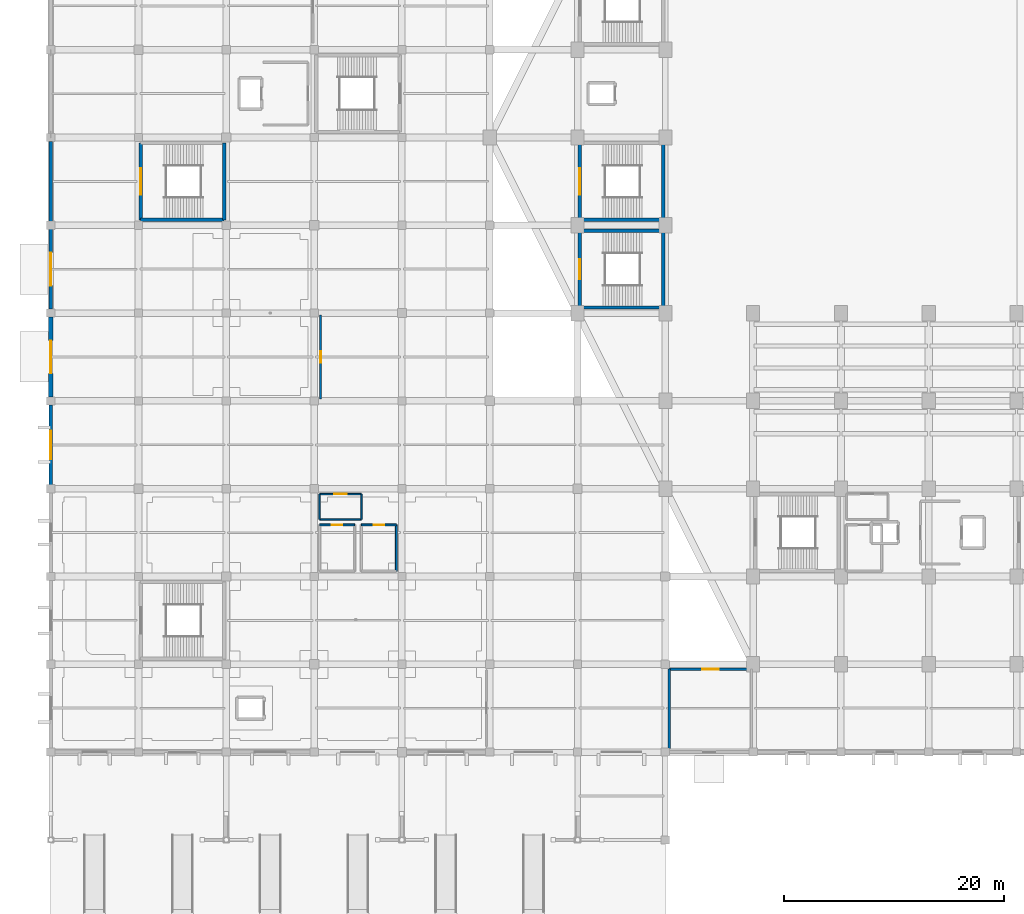
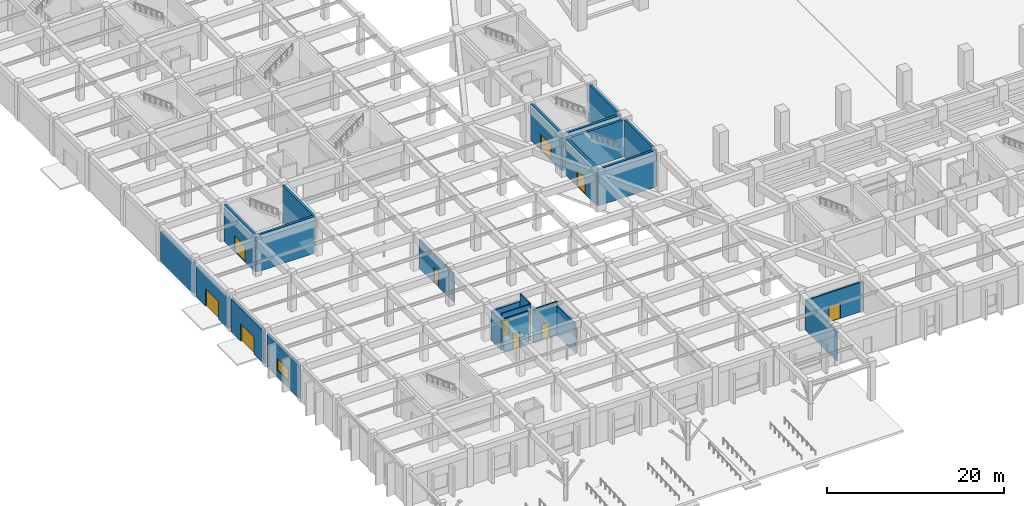
# One storey, part 23 of 39: 24 walls, 10 doors, 1 window, 11 openings.
"""IFC4 building model written with IfcOpenShell, lengths in metres."""

from ifc_helpers import new_model, si_unit, direction, frame, frame_2d, origin, place, context, subcontext, project, spatial, rectangle, extrude, material, layer, layer_set, type_object, element, fill, save


model = new_model("IFC4")

# Units and contexts
model_context = context("Model", 3, precision=1e-05, world=origin(), true_north=direction((0.0, 1.0)))
body_context = subcontext(model_context, "Body", "Model", "MODEL_VIEW")
ifc_project = project(units=[si_unit("LENGTHUNIT", "METRE"), si_unit("AREAUNIT", "SQUARE_METRE"), si_unit("VOLUMEUNIT", "CUBIC_METRE"), si_unit("PLANEANGLEUNIT", "RADIAN"), si_unit("MASSUNIT", "GRAM", prefix="KILO")], contexts=[model_context])

# Site, building, storey
site_placement = place(None, origin())
site = spatial("IfcSite", under=ifc_project, at=site_placement, CompositionType="ELEMENT")
building_placement = place(site_placement, origin())
building = spatial("IfcBuilding", under=site, at=building_placement, Name="Tazarka Park Arena", CompositionType="ELEMENT")
storey_placement = place(building_placement, origin())
storey = spatial("IfcBuildingStorey", under=building, at=storey_placement, Name="L00", CompositionType="ELEMENT", Elevation=0.0)

# Wall
ifc_material_1 = material(Name="Concrete C40/50", Category="concrete")
ifc_layer_1 = layer(ifc_material_1, 0.300048828125, Name="Concrete C40/50")
ifc_layer_set_1 = layer_set([ifc_layer_1], Name="Concrete C40/50")
wall_type_1 = type_object("IfcWallType", Name="IWAL-CW-S1", PredefinedType="SHEAR", material=ifc_layer_set_1)
wall_1_placement = place(storey_placement, frame((15.800048828125, 56.5, 0.0), z_axis=(0.0, 0.0, 1.0), x_axis=(-1.0, 0.0, 0.0)))
element("IfcWall", 1, at=wall_1_placement, inside=storey, type_object=wall_type_1, Name="SCW-L00-ST01-S", PredefinedType="SHEAR", context=body_context, shape_type="SweptSolid", body=[
    extrude(rectangle(XDim=7.60009765625, YDim=0.300048828125, at=frame_2d((3.800048828125, 0.0))), origin(), (0.0, 0.0, 1.0), 5.080078125),
])

# Wall, opening, door
wall_2_placement = place(storey_placement, frame((8.199951171875, 56.5, 0.0), z_axis=(0.0, 0.0, 1.0), x_axis=(0.0, 1.0, 0.0)))
wall_2 = element("IfcWall", 2, at=wall_2_placement, inside=storey, type_object=wall_type_1, Name="SCW-L00-ST01-W", PredefinedType="SHEAR", context=body_context, shape_type="SweptSolid", body=[
    extrude(rectangle(XDim=7.0, YDim=0.300048828125, at=frame_2d((3.5, 0.0))), origin(), (0.0, 0.0, 1.0), 5.080078125),
])
opening_1_placement = place(wall_2_placement, frame((2.300048828125, 0.0, 0.0)))
opening_1 = element("IfcOpeningElement", 3, at=opening_1_placement, cuts=wall_2, Name="Opening ID-05", PredefinedType="OPENING", context=body_context, shape_type="SweptSolid", body=[
    extrude(rectangle(XDim=2.39990234375, YDim=2.199951171875, at=frame_2d((1.199951171875, 1.10009765625))), frame((0.0, 0.16015625, 0.0), z_axis=(0.0, -1.0, 0.0), x_axis=(1.0, 0.0, 0.0)), (0.0, 0.0, 1.0), 0.320068359375),
])
ifc_material_2 = material(Name="Fire-rated powder-coated steel and acoustic timber", Category="steel")
door_type_1 = type_object("IfcDoorType", Name="IDR-ID-05", OperationType="NOTDEFINED", PredefinedType="DOOR", material=ifc_material_2)
door_1_placement = place(opening_1_placement, origin())
door_1 = element("IfcDoor", 4, at=door_1_placement, inside=storey, type_object=door_type_1, Name="Exit Stair Door ST01-L00", OperationType="DOUBLE_DOOR_SINGLE_SWING", OverallHeight=2.199951171875, OverallWidth=2.39990234375, PredefinedType="DOOR", context=body_context, shape_type="SweptSolid", body=[
    extrude(rectangle(XDim=2.39990234375, YDim=2.199951171875, at=frame_2d((1.199951171875, 1.10009765625))), frame((0.0, 0.02490234375, 0.0), z_axis=(0.0, -1.0, 0.0), x_axis=(1.0, 0.0, 0.0)), (0.0, 0.0, 1.0), 0.050048828125),
])
fill(opening_1, door_1)

# Walls
wall_3_placement = place(storey_placement, frame((15.800048828125, 63.5, 0.0), z_axis=(0.0, 0.0, 1.0), x_axis=(0.0, -1.0, 0.0)))
element("IfcWall", 5, at=wall_3_placement, inside=storey, type_object=wall_type_1, Name="SCW-L00-ST01-E", PredefinedType="SHEAR", context=body_context, shape_type="SweptSolid", body=[
    extrude(rectangle(XDim=7.0, YDim=0.300048828125, at=frame_2d((3.5, 0.0))), origin(), (0.0, 0.0, 1.0), 5.080078125),
])
wall_4_placement = place(storey_placement, frame((55.800048828125, 56.5, 0.0), z_axis=(0.0, 0.0, 1.0), x_axis=(-1.0, 0.0, 0.0)))
element("IfcWall", 6, at=wall_4_placement, inside=storey, type_object=wall_type_1, Name="SCW-L00-ST13-S", PredefinedType="SHEAR", context=body_context, shape_type="SweptSolid", body=[
    extrude(rectangle(XDim=7.60009765625, YDim=0.300048828125, at=frame_2d((3.800048828125, 0.0))), origin(), (0.0, 0.0, 1.0), 5.080078125),
])

# Wall, opening, door
wall_5_placement = place(storey_placement, frame((48.199951171875, 56.5, 0.0), z_axis=(0.0, 0.0, 1.0), x_axis=(0.0, 1.0, 0.0)))
wall_5 = element("IfcWall", 7, at=wall_5_placement, inside=storey, type_object=wall_type_1, Name="SCW-L00-ST13-W", PredefinedType="SHEAR", context=body_context, shape_type="SweptSolid", body=[
    extrude(rectangle(XDim=7.0, YDim=0.300048828125, at=frame_2d((3.5, 0.0))), origin(), (0.0, 0.0, 1.0), 5.080078125),
])
opening_2_placement = place(wall_5_placement, frame((2.300048828125, 0.0, 0.0)))
opening_2 = element("IfcOpeningElement", 8, at=opening_2_placement, cuts=wall_5, Name="Opening ID-05", PredefinedType="OPENING", context=body_context, shape_type="SweptSolid", body=[
    extrude(rectangle(XDim=2.39990234375, YDim=2.199951171875, at=frame_2d((1.199951171875, 1.10009765625))), frame((0.0, 0.16015625, 0.0), z_axis=(0.0, -1.0, 0.0), x_axis=(1.0, 0.0, 0.0)), (0.0, 0.0, 1.0), 0.320068359375),
])
door_2_placement = place(opening_2_placement, origin())
door_2 = element("IfcDoor", 9, at=door_2_placement, inside=storey, type_object=door_type_1, Name="Exit Stair Door ST13-L00", OperationType="DOUBLE_DOOR_SINGLE_SWING", OverallHeight=2.199951171875, OverallWidth=2.39990234375, PredefinedType="DOOR", context=body_context, shape_type="SweptSolid", body=[
    extrude(rectangle(XDim=2.39990234375, YDim=2.199951171875, at=frame_2d((1.199951171875, 1.10009765625))), frame((0.0, 0.02490234375, 0.0), z_axis=(0.0, -1.0, 0.0), x_axis=(1.0, 0.0, 0.0)), (0.0, 0.0, 1.0), 0.050048828125),
])
fill(opening_2, door_2)

# Walls
wall_6_placement = place(storey_placement, frame((55.800048828125, 63.5, 0.0), z_axis=(0.0, 0.0, 1.0), x_axis=(0.0, -1.0, 0.0)))
element("IfcWall", 10, at=wall_6_placement, inside=storey, type_object=wall_type_1, Name="SCW-L00-ST13-E", PredefinedType="SHEAR", context=body_context, shape_type="SweptSolid", body=[
    extrude(rectangle(XDim=7.0, YDim=0.300048828125, at=frame_2d((3.5, 0.0))), origin(), (0.0, 0.0, 1.0), 5.080078125),
])
wall_7_placement = place(storey_placement, frame((55.800048828125, 48.5, 0.0), z_axis=(0.0, 0.0, 1.0), x_axis=(-1.0, 0.0, 0.0)))
element("IfcWall", 11, at=wall_7_placement, inside=storey, type_object=wall_type_1, Name="SCW-L00-ST19-S", PredefinedType="SHEAR", context=body_context, shape_type="SweptSolid", body=[
    extrude(rectangle(XDim=7.60009765625, YDim=0.300048828125, at=frame_2d((3.800048828125, 0.0))), origin(), (0.0, 0.0, 1.0), 5.080078125),
])

# Wall, opening, door
wall_8_placement = place(storey_placement, frame((48.199951171875, 48.5, 0.0), z_axis=(0.0, 0.0, 1.0), x_axis=(0.0, 1.0, 0.0)))
wall_8 = element("IfcWall", 12, at=wall_8_placement, inside=storey, type_object=wall_type_1, Name="SCW-L00-ST19-W", PredefinedType="SHEAR", context=body_context, shape_type="SweptSolid", body=[
    extrude(rectangle(XDim=7.0, YDim=0.300048828125, at=frame_2d((3.5, 0.0))), origin(), (0.0, 0.0, 1.0), 5.080078125),
])
opening_3_placement = place(wall_8_placement, frame((2.60009765625, 0.0, 0.0)))
opening_3 = element("IfcOpeningElement", 13, at=opening_3_placement, cuts=wall_8, Name="Opening ID-04", PredefinedType="OPENING", context=body_context, shape_type="SweptSolid", body=[
    extrude(rectangle(XDim=1.800048828125, YDim=2.199951171875, at=frame_2d((0.89990234375, 1.10009765625))), frame((0.0, 0.16015625, 0.0), z_axis=(0.0, -1.0, 0.0), x_axis=(1.0, 0.0, 0.0)), (0.0, 0.0, 1.0), 0.320068359375),
])
ifc_material_3 = material(Name="Fire-rated powder-coated steel and acoustic timber", Category="steel")
door_type_2 = type_object("IfcDoorType", Name="IDR-ID-04", OperationType="NOTDEFINED", PredefinedType="DOOR", material=ifc_material_3)
door_3_placement = place(opening_3_placement, origin())
door_3 = element("IfcDoor", 14, at=door_3_placement, inside=storey, type_object=door_type_2, Name="Vomitory Stair Door ST19-L00", OperationType="DOUBLE_DOOR_SINGLE_SWING", OverallHeight=2.199951171875, OverallWidth=1.800048828125, PredefinedType="DOOR", context=body_context, shape_type="SweptSolid", body=[
    extrude(rectangle(XDim=1.800048828125, YDim=2.199951171875, at=frame_2d((0.89990234375, 1.10009765625))), frame((0.0, 0.02490234375, 0.0), z_axis=(0.0, -1.0, 0.0), x_axis=(1.0, 0.0, 0.0)), (0.0, 0.0, 1.0), 0.050048828125),
])
fill(opening_3, door_3)

# Walls
wall_9_placement = place(storey_placement, frame((48.199951171875, 55.5, 0.0), z_axis=(0.0, 0.0, 1.0), x_axis=(1.0, 0.0, 0.0)))
element("IfcWall", 15, at=wall_9_placement, inside=storey, type_object=wall_type_1, Name="SCW-L00-ST19-N", PredefinedType="SHEAR", context=body_context, shape_type="SweptSolid", body=[
    extrude(rectangle(XDim=7.60009765625, YDim=0.300048828125, at=frame_2d((3.800048828125, 0.0))), origin(), (0.0, 0.0, 1.0), 5.080078125),
])
wall_10_placement = place(storey_placement, frame((55.800048828125, 55.5, 0.0), z_axis=(0.0, 0.0, 1.0), x_axis=(0.0, -1.0, 0.0)))
element("IfcWall", 16, at=wall_10_placement, inside=storey, type_object=wall_type_1, Name="SCW-L00-ST19-E", PredefinedType="SHEAR", context=body_context, shape_type="SweptSolid", body=[
    extrude(rectangle(XDim=7.0, YDim=0.300048828125, at=frame_2d((3.5, 0.0))), origin(), (0.0, 0.0, 1.0), 5.080078125),
])

# Wall, opening, door
ifc_material_4 = material(Name="Reinforced masonry compartment wall", Category="masonry")
ifc_layer_2 = layer(ifc_material_4, 0.199951171875, Name="Reinforced masonry compartment wall")
ifc_layer_set_2 = layer_set([ifc_layer_2], Name="Reinforced masonry compartment wall")
wall_type_2 = type_object("IfcWallType", Name="IWAL-PT-04", PredefinedType="PARTITIONING", material=ifc_layer_set_2)
wall_11_placement = place(storey_placement, frame((63.85009765625, 15.550048828125, 0.0), z_axis=(0.0, 0.0, 1.0), x_axis=(-1.0, 0.0, 0.0)))
wall_11 = element("IfcWall", 17, at=wall_11_placement, inside=storey, type_object=wall_type_2, Name="WCE-L00-058", PredefinedType="PARTITIONING", context=body_context, shape_type="SweptSolid", body=[
    extrude(rectangle(XDim=7.5, YDim=0.199951171875, at=frame_2d((3.75, 0.0))), origin(), (0.0, 0.0, 1.0), 4.050048828125),
])
opening_4_placement = place(wall_11_placement, frame((3.0, 0.0, 0.0)))
opening_4 = element("IfcOpeningElement", 18, at=opening_4_placement, cuts=wall_11, Name="Opening ID-06", PredefinedType="OPENING", context=body_context, shape_type="SweptSolid", body=[
    extrude(rectangle(XDim=1.5, YDim=2.199951171875, at=frame_2d((0.75, 1.10009765625))), frame((0.0, 0.10986328125, 0.0), z_axis=(0.0, -1.0, 0.0), x_axis=(1.0, 0.0, 0.0)), (0.0, 0.0, 1.0), 0.219970703125),
])
ifc_material_5 = material(Name="Fire-rated powder-coated steel and acoustic timber", Category="steel")
door_type_3 = type_object("IfcDoorType", Name="IDR-ID-06", OperationType="NOTDEFINED", PredefinedType="DOOR", material=ifc_material_5)
door_4_placement = place(opening_4_placement, origin())
door_4 = element("IfcDoor", 19, at=door_4_placement, inside=storey, type_object=door_type_3, Name="Room Door Fire Command Centre", OperationType="SINGLE_SWING_LEFT", OverallHeight=2.199951171875, OverallWidth=1.5, PredefinedType="DOOR", context=body_context, shape_type="SweptSolid", body=[
    extrude(rectangle(XDim=1.5, YDim=2.199951171875, at=frame_2d((0.75, 1.10009765625))), frame((0.0, 0.02490234375, 0.0), z_axis=(0.0, -1.0, 0.0), x_axis=(1.0, 0.0, 0.0)), (0.0, 0.0, 1.0), 0.050048828125),
])
fill(opening_4, door_4)

# Walls
wall_12_placement = place(storey_placement, frame((56.35009765625, 15.550048828125, 0.0), z_axis=(0.0, 0.0, 1.0), x_axis=(0.0, -1.0, 0.0)))
element("IfcWall", 20, at=wall_12_placement, inside=storey, type_object=wall_type_2, Name="WCE-L00-059", PredefinedType="PARTITIONING", context=body_context, shape_type="SweptSolid", body=[
    extrude(rectangle(XDim=7.199951171875, YDim=0.199951171875, at=frame_2d((3.60009765625, 0.0))), origin(), (0.0, 0.0, 1.0), 4.050048828125),
])
ifc_material_6 = material(Name="Acoustic gypsum stud partition")
ifc_layer_3 = layer(ifc_material_6, 0.135009765625, Name="Acoustic gypsum stud partition")
ifc_layer_set_3 = layer_set([ifc_layer_3], Name="Acoustic gypsum stud partition")
wall_type_3 = type_object("IfcWallType", Name="IWAL-PT-10", PredefinedType="PARTITIONING", material=ifc_layer_set_3)
wall_13_placement = place(storey_placement, frame((24.5, 29.199951171875, 0.0), z_axis=(0.0, 0.0, 1.0), x_axis=(1.0, 0.0, 0.0)))
element("IfcWall", 21, at=wall_13_placement, inside=storey, type_object=wall_type_3, Name="WCE-L00-033", PredefinedType="PARTITIONING", context=body_context, shape_type="SweptSolid", body=[
    extrude(rectangle(XDim=3.800048828125, YDim=0.135009765625, at=frame_2d((1.89990234375, 0.0))), origin(), (0.0, 0.0, 1.0), 5.080078125),
])
wall_14_placement = place(storey_placement, frame((28.300048828125, 29.199951171875, 0.0), z_axis=(0.0, 0.0, 1.0), x_axis=(0.0, 1.0, 0.0)))
element("IfcWall", 22, at=wall_14_placement, inside=storey, type_object=wall_type_3, Name="WCE-L00-034", PredefinedType="PARTITIONING", context=body_context, shape_type="SweptSolid", body=[
    extrude(rectangle(XDim=2.300048828125, YDim=0.135009765625, at=frame_2d((1.14990234375, 0.0))), origin(), (0.0, 0.0, 1.0), 5.080078125),
])

# Wall, opening, door
wall_15_placement = place(storey_placement, frame((28.300048828125, 31.5, 0.0), z_axis=(0.0, 0.0, 1.0), x_axis=(-1.0, 0.0, 0.0)))
wall_15 = element("IfcWall", 23, at=wall_15_placement, inside=storey, type_object=wall_type_3, Name="WCE-L00-035", PredefinedType="PARTITIONING", context=body_context, shape_type="SweptSolid", body=[
    extrude(rectangle(XDim=3.800048828125, YDim=0.135009765625, at=frame_2d((1.89990234375, 0.0))), origin(), (0.0, 0.0, 1.0), 4.050048828125),
])
opening_5_placement = place(wall_15_placement, frame((1.35009765625, 0.0, 0.0)))
opening_5 = element("IfcOpeningElement", 24, at=opening_5_placement, cuts=wall_15, Name="Opening ID-02", PredefinedType="OPENING", context=body_context, shape_type="SweptSolid", body=[
    extrude(rectangle(XDim=1.10009765625, YDim=2.14990234375, at=frame_2d((0.550048828125, 1.074951171875))), frame((0.0, 0.07763671875, 0.0), z_axis=(0.0, -1.0, 0.0), x_axis=(1.0, 0.0, 0.0)), (0.0, 0.0, 1.0), 0.155029296875),
])
ifc_material_7 = material(Name="Fire-rated powder-coated steel and acoustic timber", Category="steel")
door_type_4 = type_object("IfcDoorType", Name="IDR-ID-02", OperationType="NOTDEFINED", PredefinedType="DOOR", material=ifc_material_7)
door_5_placement = place(opening_5_placement, origin())
door_5 = element("IfcDoor", 25, at=door_5_placement, inside=storey, type_object=door_type_4, Name="Room Door Accessible WC Foyer 1", OperationType="SINGLE_SWING_LEFT", OverallHeight=2.14990234375, OverallWidth=1.10009765625, PredefinedType="DOOR", context=body_context, shape_type="SweptSolid", body=[
    extrude(rectangle(XDim=1.10009765625, YDim=2.14990234375, at=frame_2d((0.550048828125, 1.074951171875))), frame((0.0, 0.02490234375, 0.0), z_axis=(0.0, -1.0, 0.0), x_axis=(1.0, 0.0, 0.0)), (0.0, 0.0, 1.0), 0.050048828125),
])
fill(opening_5, door_5)

# Wall
wall_16_placement = place(storey_placement, frame((24.5, 31.5, 0.0), z_axis=(0.0, 0.0, 1.0), x_axis=(0.0, -1.0, 0.0)))
element("IfcWall", 26, at=wall_16_placement, inside=storey, type_object=wall_type_3, Name="WCE-L00-036", PredefinedType="PARTITIONING", context=body_context, shape_type="SweptSolid", body=[
    extrude(rectangle(XDim=2.300048828125, YDim=0.135009765625, at=frame_2d((1.14990234375, 0.0))), origin(), (0.0, 0.0, 1.0), 4.050048828125),
])

# Wall, opening, door
ifc_material_8 = material(Name="Double-layer fire partition")
ifc_layer_4 = layer(ifc_material_8, 0.18505859375, Name="Double-layer fire partition")
ifc_layer_set_4 = layer_set([ifc_layer_4], Name="Double-layer fire partition")
wall_type_4 = type_object("IfcWallType", Name="IWAL-PT-11", PredefinedType="PARTITIONING", material=ifc_layer_set_4)
wall_17_placement = place(storey_placement, frame((24.60009765625, 40.1533203125, 0.0), z_axis=(0.0, 0.0, 1.0), x_axis=(0.0, 1.0, 0.0)))
wall_17 = element("IfcWall", 27, at=wall_17_placement, inside=storey, type_object=wall_type_4, Name="PRT-L00-009", PredefinedType="PARTITIONING", context=body_context, shape_type="SweptSolid", body=[
    extrude(rectangle(XDim=7.693359375, YDim=0.18505859375, at=frame_2d((3.8466796875, 0.0))), origin(), (0.0, 0.0, 1.0), 4.050048828125),
])
opening_6_placement = place(wall_17_placement, frame((3.32177734375, 0.0, 0.0)))
opening_6 = element("IfcOpeningElement", 28, at=opening_6_placement, cuts=wall_17, Name="Opening ID-10", PredefinedType="OPENING", context=body_context, shape_type="SweptSolid", body=[
    extrude(rectangle(XDim=1.050048828125, YDim=2.14990234375, at=frame_2d((0.52490234375, 1.074951171875))), frame((0.0, 0.1025390625, 0.0), z_axis=(0.0, -1.0, 0.0), x_axis=(1.0, 0.0, 0.0)), (0.0, 0.0, 1.0), 0.205078125),
])
ifc_material_9 = material(Name="Fire-rated powder-coated steel and acoustic timber", Category="steel")
door_type_5 = type_object("IfcDoorType", Name="IDR-ID-10", OperationType="NOTDEFINED", PredefinedType="DOOR", material=ifc_material_9)
door_6_placement = place(opening_6_placement, origin())
door_6 = element("IfcDoor", 29, at=door_6_placement, inside=storey, type_object=door_type_5, Name="Room Door Ticketing Hall and Spectator Accreditation", OperationType="SINGLE_SWING_LEFT", OverallHeight=2.14990234375, OverallWidth=1.050048828125, PredefinedType="DOOR", context=body_context, shape_type="SweptSolid", body=[
    extrude(rectangle(XDim=1.050048828125, YDim=2.14990234375, at=frame_2d((0.52490234375, 1.074951171875))), frame((0.0, 0.02490234375, 0.0), z_axis=(0.0, -1.0, 0.0), x_axis=(1.0, 0.0, 0.0)), (0.0, 0.0, 1.0), 0.050048828125),
])
fill(opening_6, door_6)

ifc_material_10 = material(Name="Wet-zone tiled blockwork wall", Category="masonry")
ifc_layer_5 = layer(ifc_material_10, 0.175048828125, Name="Wet-zone tiled blockwork wall")
ifc_layer_set_5 = layer_set([ifc_layer_5], Name="Wet-zone tiled blockwork wall")
wall_type_5 = type_object("IfcWallType", Name="IWAL-PT-18", PredefinedType="PARTITIONING", material=ifc_layer_set_5)
wall_18_placement = place(storey_placement, frame((27.699951171875, 28.699951171875, 0.0), z_axis=(0.0, 0.0, 1.0), x_axis=(-1.0, 0.0, 0.0)))
wall_18 = element("IfcWall", 30, at=wall_18_placement, inside=storey, type_object=wall_type_5, Name="WCE-L00-027", PredefinedType="PARTITIONING", context=body_context, shape_type="SweptSolid", body=[
    extrude(rectangle(XDim=3.199951171875, YDim=0.175048828125, at=frame_2d((1.60009765625, 0.0))), origin(), (0.0, 0.0, 1.0), 4.639892578125),
])
opening_7_placement = place(wall_18_placement, frame((1.125, 0.0, 0.0)))
opening_7 = element("IfcOpeningElement", 31, at=opening_7_placement, cuts=wall_18, Name="Opening ID-09", PredefinedType="OPENING", context=body_context, shape_type="SweptSolid", body=[
    extrude(rectangle(XDim=0.949951171875, YDim=2.14990234375, at=frame_2d((0.47509765625, 1.074951171875))), frame((0.0, 0.09765625, 0.0), z_axis=(0.0, -1.0, 0.0), x_axis=(1.0, 0.0, 0.0)), (0.0, 0.0, 1.0), 0.195068359375),
])
ifc_material_11 = material(Name="Fire-rated powder-coated steel and acoustic timber", Category="steel")
door_type_6 = type_object("IfcDoorType", Name="IDR-ID-09", OperationType="NOTDEFINED", PredefinedType="DOOR", material=ifc_material_11)
door_7_placement = place(opening_7_placement, origin())
door_7 = element("IfcDoor", 32, at=door_7_placement, inside=storey, type_object=door_type_6, Name="Room Door Public Male WC Foyer 1", OperationType="SINGLE_SWING_LEFT", OverallHeight=2.14990234375, OverallWidth=0.949951171875, PredefinedType="DOOR", context=body_context, shape_type="SweptSolid", body=[
    extrude(rectangle(XDim=0.949951171875, YDim=2.14990234375, at=frame_2d((0.47509765625, 1.074951171875))), frame((0.0, 0.02490234375, 0.0), z_axis=(0.0, -1.0, 0.0), x_axis=(1.0, 0.0, 0.0)), (0.0, 0.0, 1.0), 0.050048828125),
])
fill(opening_7, door_7)

# Wall
wall_19_placement = place(storey_placement, frame((31.5, 24.5, 0.0), z_axis=(0.0, 0.0, 1.0), x_axis=(0.0, 1.0, 0.0)))
element("IfcWall", 33, at=wall_19_placement, inside=storey, type_object=wall_type_5, Name="WCE-L00-030", PredefinedType="PARTITIONING", context=body_context, shape_type="SweptSolid", body=[
    extrude(rectangle(XDim=4.199951171875, YDim=0.175048828125, at=frame_2d((2.10009765625, 0.0))), origin(), (0.0, 0.0, 1.0), 4.050048828125),
])

# Wall, opening, door
wall_20_placement = place(storey_placement, frame((31.5, 28.699951171875, 0.0), z_axis=(0.0, 0.0, 1.0), x_axis=(-1.0, 0.0, 0.0)))
wall_20 = element("IfcWall", 34, at=wall_20_placement, inside=storey, type_object=wall_type_5, Name="WCE-L00-031", PredefinedType="PARTITIONING", context=body_context, shape_type="SweptSolid", body=[
    extrude(rectangle(XDim=3.199951171875, YDim=0.175048828125, at=frame_2d((1.60009765625, 0.0))), origin(), (0.0, 0.0, 1.0), 4.639892578125),
])
opening_8_placement = place(wall_20_placement, frame((1.125, 0.0, 0.0)))
opening_8 = element("IfcOpeningElement", 35, at=opening_8_placement, cuts=wall_20, Name="Opening ID-09", PredefinedType="OPENING", context=body_context, shape_type="SweptSolid", body=[
    extrude(rectangle(XDim=0.949951171875, YDim=2.14990234375, at=frame_2d((0.47509765625, 1.074951171875))), frame((0.0, 0.09765625, 0.0), z_axis=(0.0, -1.0, 0.0), x_axis=(1.0, 0.0, 0.0)), (0.0, 0.0, 1.0), 0.195068359375),
])
door_8_placement = place(opening_8_placement, origin())
door_8 = element("IfcDoor", 36, at=door_8_placement, inside=storey, type_object=door_type_6, Name="Room Door Public Female WC Foyer 1", OperationType="SINGLE_SWING_RIGHT", OverallHeight=2.14990234375, OverallWidth=0.949951171875, PredefinedType="DOOR", context=body_context, shape_type="SweptSolid", body=[
    extrude(rectangle(XDim=0.949951171875, YDim=2.14990234375, at=frame_2d((0.47509765625, 1.074951171875))), frame((0.0, 0.02490234375, 0.0), z_axis=(0.0, -1.0, 0.0), x_axis=(1.0, 0.0, 0.0)), (0.0, 0.0, 1.0), 0.050048828125),
])
fill(opening_8, door_8)

# Wall
ifc_material_12 = material(Name="Concrete C40/50", Category="concrete")
ifc_layer_6 = layer(ifc_material_12, 0.340087890625, Name="Concrete C40/50")
ifc_layer_set_6 = layer_set([ifc_layer_6], Name="Concrete C40/50")
wall_type_6 = type_object("IfcWallType", Name="WAL-EW-03", PredefinedType="SOLIDWALL", material=ifc_layer_set_6)
wall_21_placement = place(storey_placement, frame((0.0, 56.35498046875, 0.0), z_axis=(0.0, 0.0, 1.0), x_axis=(0.0, 1.0, 0.0)))
element("IfcWall", 37, at=wall_21_placement, inside=storey, type_object=wall_type_6, Name="EW-L00-0130", PredefinedType="SOLIDWALL", context=body_context, shape_type="SweptSolid", body=[
    extrude(rectangle(XDim=7.2900390625, YDim=0.340087890625, at=frame_2d((3.64501953125, 0.0))), origin(), (0.0, 0.0, 1.0), 4.199951171875),
])

# Wall, opening, door
ifc_material_13 = material(Name="Concrete C40/50", Category="concrete")
ifc_layer_7 = layer(ifc_material_13, 0.360107421875, Name="Concrete C40/50")
ifc_layer_set_7 = layer_set([ifc_layer_7], Name="Concrete C40/50")
wall_type_7 = type_object("IfcWallType", Name="WAL-EW-04", PredefinedType="SOLIDWALL", material=ifc_layer_set_7)
wall_22_placement = place(storey_placement, frame((0.0, 48.35498046875, 0.0), z_axis=(0.0, 0.0, 1.0), x_axis=(0.0, 1.0, 0.0)))
wall_22 = element("IfcWall", 38, at=wall_22_placement, inside=storey, type_object=wall_type_7, Name="EW-L00-0131", PredefinedType="SOLIDWALL", context=body_context, shape_type="SweptSolid", body=[
    extrude(rectangle(XDim=7.2900390625, YDim=0.360107421875, at=frame_2d((3.64501953125, 0.0))), origin(), (0.0, 0.0, 1.0), 4.199951171875),
])
opening_9_placement = place(wall_22_placement, frame((2.14501953125, 0.0, 0.0)))
opening_9 = element("IfcOpeningElement", 39, at=opening_9_placement, cuts=wall_22, Name="Opening G21", PredefinedType="OPENING", context=body_context, shape_type="SweptSolid", body=[
    extrude(rectangle(XDim=3.0, YDim=2.39990234375, at=frame_2d((1.5, 1.199951171875))), frame((0.0, 0.18994140625, 0.0), z_axis=(0.0, -1.0, 0.0), x_axis=(1.0, 0.0, 0.0)), (0.0, 0.0, 1.0), 0.380126953125),
])
ifc_material_14 = material(Name="Thermally broken anodised aluminium and laminated safety glass", Category="aluminium")
door_type_7 = type_object("IfcDoorType", Name="DR-ED-02", OperationType="NOTDEFINED", PredefinedType="DOOR", material=ifc_material_14)
door_9_placement = place(opening_9_placement, origin())
door_9 = element("IfcDoor", 40, at=door_9_placement, inside=storey, type_object=door_type_7, Name="Pedestrian exit gate G21", OperationType="DOUBLE_DOOR_SINGLE_SWING", OverallHeight=2.39990234375, OverallWidth=3.0, PredefinedType="DOOR", context=body_context, shape_type="SweptSolid", body=[
    extrude(rectangle(XDim=3.0, YDim=2.39990234375, at=frame_2d((1.5, 1.199951171875))), frame((0.0, 0.02490234375, 0.0), z_axis=(0.0, -1.0, 0.0), x_axis=(1.0, 0.0, 0.0)), (0.0, 0.0, 1.0), 0.050048828125),
])
fill(opening_9, door_9)

ifc_material_15 = material(Name="Concrete C50/60", Category="concrete")
ifc_layer_8 = layer(ifc_material_15, 0.3798828125, Name="Concrete C50/60")
ifc_layer_set_8 = layer_set([ifc_layer_8], Name="Concrete C50/60")
wall_type_8 = type_object("IfcWallType", Name="WAL-EW-05", PredefinedType="SOLIDWALL", material=ifc_layer_set_8)
wall_23_placement = place(storey_placement, frame((0.0, 40.35498046875, 0.0), z_axis=(0.0, 0.0, 1.0), x_axis=(0.0, 1.0, 0.0)))
wall_23 = element("IfcWall", 41, at=wall_23_placement, inside=storey, type_object=wall_type_8, Name="EW-L00-0132", PredefinedType="SOLIDWALL", context=body_context, shape_type="SweptSolid", body=[
    extrude(rectangle(XDim=7.2900390625, YDim=0.3798828125, at=frame_2d((3.64501953125, 0.0))), origin(), (0.0, 0.0, 1.0), 4.510009765625),
])
opening_10_placement = place(wall_23_placement, frame((2.14501953125, 0.0, 0.0)))
opening_10 = element("IfcOpeningElement", 42, at=opening_10_placement, cuts=wall_23, Name="Opening G22", PredefinedType="OPENING", context=body_context, shape_type="SweptSolid", body=[
    extrude(rectangle(XDim=3.0, YDim=2.39990234375, at=frame_2d((1.5, 1.199951171875))), frame((0.0, 0.199951171875, 0.0), z_axis=(0.0, -1.0, 0.0), x_axis=(1.0, 0.0, 0.0)), (0.0, 0.0, 1.0), 0.39990234375),
])
door_10_placement = place(opening_10_placement, origin())
door_10 = element("IfcDoor", 43, at=door_10_placement, inside=storey, type_object=door_type_7, Name="Pedestrian exit gate G22", OperationType="DOUBLE_DOOR_SINGLE_SWING", OverallHeight=2.39990234375, OverallWidth=3.0, PredefinedType="DOOR", context=body_context, shape_type="SweptSolid", body=[
    extrude(rectangle(XDim=3.0, YDim=2.39990234375, at=frame_2d((1.5, 1.199951171875))), frame((0.0, 0.02490234375, 0.0), z_axis=(0.0, -1.0, 0.0), x_axis=(1.0, 0.0, 0.0)), (0.0, 0.0, 1.0), 0.050048828125),
])
fill(opening_10, door_10)

# Wall, opening, window
ifc_material_16 = material(Name="Precast concrete C40/50", Category="concrete")
ifc_layer_9 = layer(ifc_material_16, 0.280029296875, Name="Precast concrete C40/50")
ifc_layer_set_9 = layer_set([ifc_layer_9], Name="Precast concrete C40/50")
wall_type_9 = type_object("IfcWallType", Name="WAL-EW-06", PredefinedType="SOLIDWALL", material=ifc_layer_set_9)
wall_24_placement = place(storey_placement, frame((0.0, 32.35498046875, 0.0), z_axis=(0.0, 0.0, 1.0), x_axis=(0.0, 1.0, 0.0)))
wall_24 = element("IfcWall", 44, at=wall_24_placement, inside=storey, type_object=wall_type_9, Name="EW-L00-0133", PredefinedType="SOLIDWALL", context=body_context, shape_type="SweptSolid", body=[
    extrude(rectangle(XDim=7.2900390625, YDim=0.280029296875, at=frame_2d((3.64501953125, 0.0))), origin(), (0.0, 0.0, 1.0), 4.510009765625),
])
opening_11_placement = place(wall_24_placement, frame((2.344970703125, 0.0, 0.949951171875)))
opening_11 = element("IfcOpeningElement", 45, at=opening_11_placement, cuts=wall_24, Name="Opening WN-06", PredefinedType="OPENING", context=body_context, shape_type="SweptSolid", body=[
    extrude(rectangle(XDim=2.60009765625, YDim=1.60009765625, at=frame_2d((1.300048828125, 0.800048828125))), frame((0.0, 0.14990234375, 0.0), z_axis=(0.0, -1.0, 0.0), x_axis=(1.0, 0.0, 0.0)), (0.0, 0.0, 1.0), 0.300048828125),
])
ifc_material_17 = material(Name="Thermally broken aluminium and solar-control low-e glazing", Category="aluminium")
window_type = type_object("IfcWindowType", Name="WIN-WN-06", PartitioningType="DOUBLE_PANEL_VERTICAL", PredefinedType="WINDOW", material=ifc_material_17)
window_placement = place(opening_11_placement, origin())
window = element("IfcWindow", 46, at=window_placement, inside=storey, type_object=window_type, Name="WIN-L00-0006", OverallHeight=1.60009765625, OverallWidth=2.60009765625, PartitioningType="SINGLE_PANEL", PredefinedType="WINDOW", context=body_context, shape_type="SweptSolid", body=[
    extrude(rectangle(XDim=2.60009765625, YDim=1.60009765625, at=frame_2d((1.300048828125, 0.800048828125))), frame((0.0, 0.030029296875, 0.0), z_axis=(0.0, -1.0, 0.0), x_axis=(1.0, 0.0, 0.0)), (0.0, 0.0, 1.0), 0.06005859375),
])
fill(opening_11, window)

save(model, "model.ifc")
